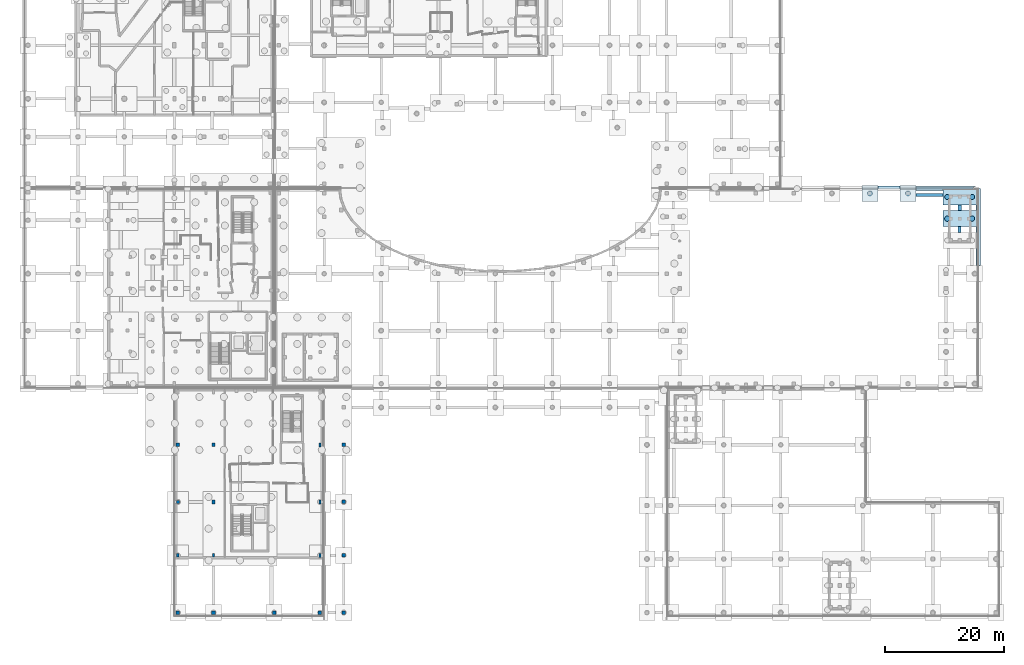
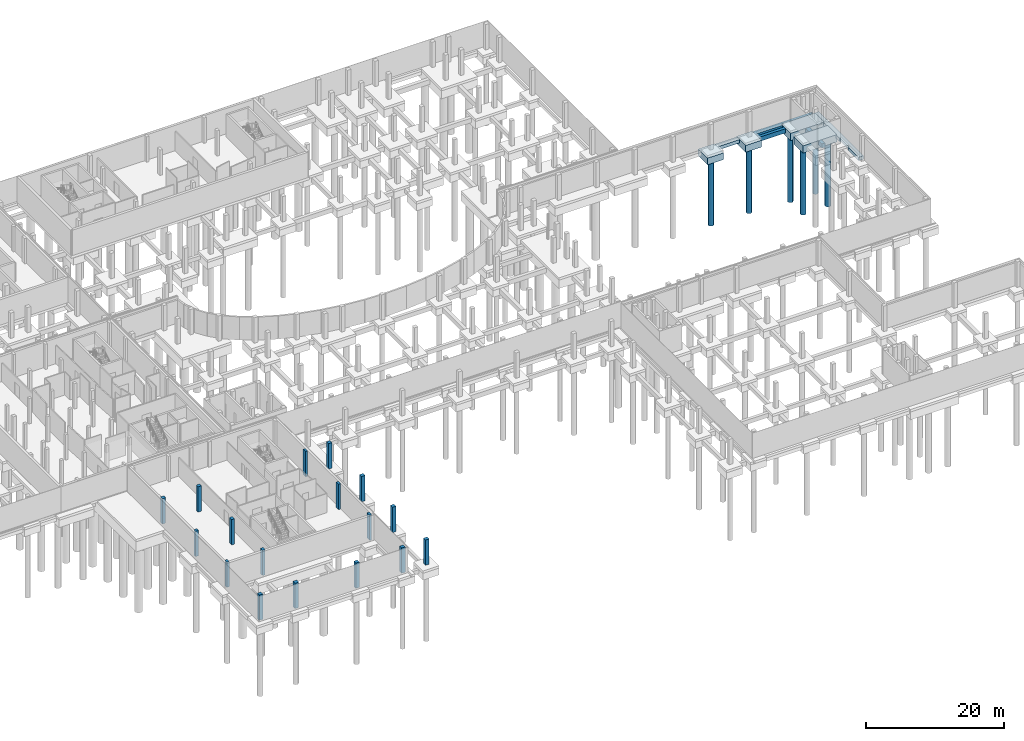
# One storey, part 11 of 40: 17 columns, 10 footings, 6 piles.
"""IFC4 building model written with IfcOpenShell, lengths in metres."""

from ifc_helpers import new_model, si_unit, direction, frame, origin, origin_2d, place, context, subcontext, project, spatial, polyline, rectangle, circle, outline, extrude, material, material_profile, profile_set, type_object, element, save


model = new_model("IFC4")

# Units and contexts
model_context = context("Model", 3, precision=1e-05, world=origin(), true_north=direction((0.0, 1.0)))
body_context = subcontext(model_context, "Body", "Model", "MODEL_VIEW")
ifc_project = project(units=[si_unit("LENGTHUNIT", "METRE"), si_unit("AREAUNIT", "SQUARE_METRE"), si_unit("VOLUMEUNIT", "CUBIC_METRE"), si_unit("PLANEANGLEUNIT", "RADIAN"), si_unit("MASSUNIT", "GRAM", prefix="KILO")], contexts=[model_context])

# Site, building, storey
site_placement = place(None, origin())
site = spatial("IfcSite", under=ifc_project, at=site_placement, CompositionType="ELEMENT")
building_placement = place(site_placement, origin())
building = spatial("IfcBuilding", under=site, at=building_placement, Name="Mzevani Central Library", CompositionType="ELEMENT")
storey_placement = place(building_placement, frame((0.0, 0.0, -4.5)))
storey = spatial("IfcBuildingStorey", under=building, at=storey_placement, Name="B1", CompositionType="ELEMENT", Elevation=-4.5)

# Piles
ifc_material = material(Name="Concrete C40/50", Category="concrete")
ifc_material_profile_1 = material_profile(ifc_material, circle(Radius=0.425048828125, at=origin_2d()), Name="PILE D850")
ifc_profile_set_1 = profile_set([ifc_material_profile_1], Name="Concrete C40/50")
pile_type_1 = type_object("IfcPileType", Name="Bored Pile D850", PredefinedType="BORED", material=ifc_profile_set_1)
for number, where, z_axis, x_axis, name in (
    (1, (146.199951171875, 75.10009765625, -1.52001953125), (0.0, 0.0, -1.0), (1.0, 0.0, 0.0), "B1 Bored Pile P-02 (85)"),
    (2, (152.60009765625, 75.10009765625, -1.52001953125), (0.0, 0.0, -1.0), (1.0, 0.0, 0.0), "B1 Bored Pile P-02 (87)"),
):
    element("IfcPile", number, at=place(storey_placement, frame(where, z_axis=z_axis, x_axis=x_axis)), inside=storey, type_object=pile_type_1, Name=name, PredefinedType="BORED", context=body_context, shape_type="SweptSolid", body=[
        extrude(circle(Radius=0.425048828125, at=origin_2d()), origin(), (0.0, 0.0, 1.0), 11.97998046875),
    ])
for number, where, z_axis, x_axis, name in (
    (3, (159.195068359375, 74.5, -1.6201171875), (0.0, 0.0, -1.0), (1.0, 0.0, 0.0), "B1 Bored Pile P-02 (356)"),
    (4, (163.405029296875, 74.5, -1.6201171875), (0.0, 0.0, -1.0), (1.0, 0.0, 0.0), "B1 Bored Pile P-02 (357)"),
):
    element("IfcPile", number, at=place(storey_placement, frame(where, z_axis=z_axis, x_axis=x_axis)), inside=storey, type_object=pile_type_1, Name=name, PredefinedType="BORED", context=body_context, shape_type="SweptSolid", body=[
        extrude(circle(Radius=0.425048828125, at=origin_2d()), origin(), (0.0, 0.0, 1.0), 11.8798828125),
    ])
ifc_material_profile_2 = material_profile(ifc_material, circle(Radius=0.449951171875, at=origin_2d()), Name="PILE D900")
ifc_profile_set_2 = profile_set([ifc_material_profile_2], Name="Concrete C40/50")
pile_type_2 = type_object("IfcPileType", Name="Bored Pile D900", PredefinedType="BORED", material=ifc_profile_set_2)
for number, where, z_axis, x_axis, name in (
    (5, (159.219970703125, 70.85009765625, -1.6201171875), (0.0, 0.0, -1.0), (1.0, 0.0, 0.0), "B1 Bored Pile P-03 (354)"),
    (6, (163.3798828125, 70.85009765625, -1.6201171875), (0.0, 0.0, -1.0), (1.0, 0.0, 0.0), "B1 Bored Pile P-03 (355)"),
):
    element("IfcPile", number, at=place(storey_placement, frame(where, z_axis=z_axis, x_axis=x_axis)), inside=storey, type_object=pile_type_2, Name=name, PredefinedType="BORED", context=body_context, shape_type="SweptSolid", body=[
        extrude(circle(Radius=0.449951171875, at=origin_2d()), origin(), (0.0, 0.0, 1.0), 11.8798828125),
    ])

# Footings
footing_type_1 = type_object("IfcFootingType", Name="Ground Tie Beam RC 500x750", PredefinedType="FOOTING_BEAM", material=ifc_material)
footing_1_placement = place(storey_placement, frame((0.0, 0.0, -1.169921875)))
element("IfcFooting", 7, at=footing_1_placement, inside=storey, type_object=footing_type_1, Name="MAT Ground Tie Beam GB-02 (110)", PredefinedType="FOOTING_BEAM", context=body_context, shape_type="SweptSolid", body=[
    extrude(outline(polyline([(153.949951171875, 74.550048828125), (158.449951171875, 74.550048828125), (158.449951171875, 75.050048828125), (153.949951171875, 75.050048828125), (153.949951171875, 74.550048828125)])), origin(), (0.0, 0.0, 1.0), 0.75),
])
footing_2_placement = place(storey_placement, frame((0.0, 0.0, -1.169921875)))
element("IfcFooting", 8, at=footing_2_placement, inside=storey, type_object=footing_type_1, Name="MAT Ground Tie Beam GB-02 (178)", PredefinedType="FOOTING_BEAM", context=body_context, shape_type="SweptSolid", body=[
    extrude(outline(polyline([(161.050048828125, 68.550048828125), (161.550048828125, 68.550048828125), (161.550048828125, 69.5), (161.050048828125, 69.5), (161.050048828125, 68.550048828125)])), origin(), (0.0, 0.0, 1.0), 0.75),
])
footing_type_2 = type_object("IfcFootingType", Name="Ground Tie Beam RC 600x850", PredefinedType="FOOTING_BEAM", material=ifc_material)
footing_3_placement = place(storey_placement, frame((0.0, 0.0, -1.27001953125)))
element("IfcFooting", 9, at=footing_3_placement, inside=storey, type_object=footing_type_2, Name="MAT Ground Tie Beam GB-04 (184)", PredefinedType="FOOTING_BEAM", context=body_context, shape_type="SweptSolid", body=[
    extrude(outline(polyline([(161.0, 72.199951171875), (161.60009765625, 72.199951171875), (161.60009765625, 73.14990234375), (161.0, 73.14990234375), (161.0, 72.199951171875)])), origin(), (0.0, 0.0, 1.0), 0.85009765625),
])
footing_type_3 = type_object("IfcFootingType", Name="Perimeter Strip Footing RC 800x600", PredefinedType="STRIP_FOOTING", material=ifc_material)
footing_4_placement = place(storey_placement, frame((0.0, 0.0, -1.02001953125)))
element("IfcFooting", 10, at=footing_4_placement, inside=storey, type_object=footing_type_3, Name="B1 Perimeter Strip Footing SF-01 (3)", PredefinedType="STRIP_FOOTING", context=body_context, shape_type="SweptSolid", body=[
    extrude(outline(polyline([(164.0, 65.85009765625), (164.14990234375, 65.85009765625), (164.14990234375, 68.550048828125), (164.0, 68.550048828125), (164.0, 69.5), (164.14990234375, 69.5), (164.14990234375, 72.199951171875), (164.0, 72.199951171875), (164.0, 73.14990234375), (164.14990234375, 73.14990234375), (164.14990234375, 75.85009765625), (164.0, 75.85009765625), (164.800048828125, 75.89990234375), (164.800048828125, 62.949951171875), (164.0, 62.949951171875), (164.0, 65.85009765625)])), origin(), (0.0, 0.0, 1.0), 0.60009765625),
])
footing_5_placement = place(storey_placement, frame((0.0, 0.0, -1.02001953125)))
element("IfcFooting", 11, at=footing_5_placement, inside=storey, type_object=footing_type_3, Name="B1 Perimeter Strip Footing SF-01 (15)", PredefinedType="STRIP_FOOTING", context=body_context, shape_type="SweptSolid", body=[
    extrude(outline(polyline([(158.449951171875, 75.85009765625), (158.449951171875, 75.5), (153.949951171875, 75.5), (153.949951171875, 76.300048828125), (163.986083984375, 76.300048828125), (163.690673828125, 76.177001953125), (163.58837890625, 76.03173828125), (163.55029296875, 75.85009765625), (158.449951171875, 75.85009765625)])), origin(), (0.0, 0.0, 1.0), 0.60009765625),
])
footing_6_placement = place(storey_placement, frame((0.0, 0.0, -1.02001953125)))
element("IfcFooting", 12, at=footing_6_placement, inside=storey, type_object=footing_type_3, Name="B1 Perimeter Strip Footing SF-01 (16)", PredefinedType="STRIP_FOOTING", context=body_context, shape_type="SweptSolid", body=[
    extrude(outline(polyline([(147.550048828125, 76.300048828125), (151.25, 76.300048828125), (151.25, 75.5), (147.550048828125, 75.5), (147.550048828125, 76.300048828125)])), origin(), (0.0, 0.0, 1.0), 0.60009765625),
])
footing_type_4 = type_object("IfcFootingType", Name="Pile Cap RC 2700x2700x1200", PredefinedType="PILE_CAP", material=ifc_material)
footing_7_placement = place(storey_placement, frame((0.0, 0.0, -1.6201171875)))
element("IfcFooting", 13, at=footing_7_placement, inside=storey, type_object=footing_type_4, Name="B1 Pile Cap PC-02 (37)", PredefinedType="PILE_CAP", context=body_context, shape_type="SweptSolid", body=[
    extrude(outline(polyline([(144.85009765625, 73.75), (147.550048828125, 73.75), (147.550048828125, 76.449951171875), (144.85009765625, 76.449951171875), (144.85009765625, 73.75)])), origin(), (0.0, 0.0, 1.0), 1.2001953125),
])
footing_8_placement = place(storey_placement, frame((0.0, 0.0, -1.6201171875)))
element("IfcFooting", 14, at=footing_8_placement, inside=storey, type_object=footing_type_4, Name="B1 Pile Cap PC-02 (39)", PredefinedType="PILE_CAP", context=body_context, shape_type="SweptSolid", body=[
    extrude(outline(polyline([(151.25, 73.75), (153.949951171875, 73.75), (153.949951171875, 76.449951171875), (151.25, 76.449951171875), (151.25, 73.75)])), origin(), (0.0, 0.0, 1.0), 1.2001953125),
])
footing_type_5 = type_object("IfcFootingType", Name="Pile Cap RC 5700x2700x1300", PredefinedType="PILE_CAP", material=ifc_material)
footing_9_placement = place(storey_placement, frame((0.0, 0.0, -1.719970703125)))
element("IfcFooting", 15, at=footing_9_placement, inside=storey, type_object=footing_type_5, Name="B1 Pile Cap PC-40 (165)", PredefinedType="PILE_CAP", context=body_context, shape_type="SweptSolid", body=[
    extrude(outline(polyline([(158.449951171875, 69.5), (164.14990234375, 69.5), (164.14990234375, 72.199951171875), (158.449951171875, 72.199951171875), (158.449951171875, 69.5)])), origin(), (0.0, 0.0, 1.0), 1.300048828125),
])
footing_10_placement = place(storey_placement, frame((0.0, 0.0, -1.719970703125)))
element("IfcFooting", 16, at=footing_10_placement, inside=storey, type_object=footing_type_5, Name="B1 Pile Cap PC-40 (166)", PredefinedType="PILE_CAP", context=body_context, shape_type="SweptSolid", body=[
    extrude(outline(polyline([(158.449951171875, 73.14990234375), (164.14990234375, 73.14990234375), (164.14990234375, 75.85009765625), (158.449951171875, 75.85009765625), (158.449951171875, 73.14990234375)])), origin(), (0.0, 0.0, 1.0), 1.300048828125),
])

# Columns
ifc_material_profile_3 = material_profile(ifc_material, rectangle(XDim=0.39990234375, YDim=0.60009765625, at=origin_2d()), Name="RC 400x600")
ifc_profile_set_3 = profile_set([ifc_material_profile_3], Name="Concrete C40/50")
column_type_1 = type_object("IfcColumnType", Name="Column RC 400x600", PredefinedType="COLUMN", material=ifc_profile_set_3)
for number, where, z_axis, x_axis, name in (
    (17, (29.800048828125, 14.199951171875, 0.0), (0.0, 0.0, 1.0), (1.0, 0.0, 0.0), "B1 V4 Column C-11 (167)"),
    (18, (35.800048828125, 14.199951171875, 0.0), (0.0, 0.0, 1.0), (1.0, 0.0, 0.0), "B1 V4 Column C-11 (172)"),
):
    element("IfcColumn", number, at=place(storey_placement, frame(where, z_axis=z_axis, x_axis=x_axis)), inside=storey, type_object=column_type_1, Name=name, PredefinedType="COLUMN", context=body_context, shape_type="SweptSolid", body=[
        extrude(rectangle(XDim=0.39990234375, YDim=0.60009765625, at=origin_2d()), origin(), (0.0, 0.0, 1.0), 4.5),
    ])
ifc_material_profile_4 = material_profile(ifc_material, rectangle(XDim=0.449951171875, YDim=0.64990234375, at=origin_2d()), Name="RC 450x650")
ifc_profile_set_4 = profile_set([ifc_material_profile_4], Name="Concrete C40/50")
column_type_2 = type_object("IfcColumnType", Name="Column RC 450x650", PredefinedType="COLUMN", material=ifc_profile_set_4)
column_1_placement = place(storey_placement, frame((35.800048828125, 23.199951171875, 0.0), z_axis=(0.0, 0.0, 1.0), x_axis=(1.0, 0.0, 0.0)))
element("IfcColumn", 19, at=column_1_placement, inside=storey, type_object=column_type_2, Name="B1 V4 Column C-12 (173)", PredefinedType="COLUMN", context=body_context, shape_type="SweptSolid", body=[
    extrude(rectangle(XDim=0.449951171875, YDim=0.64990234375, at=origin_2d()), origin(), (0.0, 0.0, 1.0), 4.5),
])
ifc_material_profile_5 = material_profile(ifc_material, rectangle(XDim=0.5, YDim=0.5, at=origin_2d()), Name="RC 500x500")
ifc_profile_set_5 = profile_set([ifc_material_profile_5], Name="Concrete C40/50")
column_type_3 = type_object("IfcColumnType", Name="Column RC 500x500", PredefinedType="COLUMN", material=ifc_profile_set_5)
column_2_placement = place(storey_placement, frame((29.800048828125, 23.199951171875, 0.0), z_axis=(0.0, 0.0, 1.0), x_axis=(1.0, 0.0, 0.0)))
element("IfcColumn", 20, at=column_2_placement, inside=storey, type_object=column_type_3, Name="B1 V4 Column C-04 (168)", PredefinedType="COLUMN", context=body_context, shape_type="SweptSolid", body=[
    extrude(rectangle(XDim=0.5, YDim=0.5, at=origin_2d()), origin(), (0.0, 0.0, 1.0), 4.5),
])
ifc_material_profile_6 = material_profile(ifc_material, rectangle(XDim=0.550048828125, YDim=0.550048828125, at=origin_2d()), Name="RC 550x550")
ifc_profile_set_6 = profile_set([ifc_material_profile_6], Name="Concrete C40/50")
column_type_4 = type_object("IfcColumnType", Name="Column RC 550x550", PredefinedType="COLUMN", material=ifc_profile_set_6)
for number, where, z_axis, x_axis, name in (
    (21, (29.800048828125, 32.800048828125, 0.0), (0.0, 0.0, 1.0), (1.0, 0.0, 0.0), "B1 V4 Column C-05 (169)"),
    (22, (35.800048828125, 32.800048828125, 0.0), (0.0, 0.0, 1.0), (1.0, 0.0, 0.0), "B1 V4 Column C-05 (174)"),
):
    element("IfcColumn", number, at=place(storey_placement, frame(where, z_axis=z_axis, x_axis=x_axis)), inside=storey, type_object=column_type_4, Name=name, PredefinedType="COLUMN", context=body_context, shape_type="SweptSolid", body=[
        extrude(rectangle(XDim=0.550048828125, YDim=0.550048828125, at=origin_2d()), origin(), (0.0, 0.0, 1.0), 4.5),
    ])
ifc_material_profile_7 = material_profile(ifc_material, rectangle(XDim=0.60009765625, YDim=0.60009765625, at=origin_2d()), Name="RC 600x600")
ifc_profile_set_7 = profile_set([ifc_material_profile_7], Name="Concrete C40/50")
column_type_5 = type_object("IfcColumnType", Name="Column RC 600x600", PredefinedType="COLUMN", material=ifc_profile_set_7)
for number, where, z_axis, x_axis, name in (
    (23, (29.800048828125, 4.60009765625, 0.0), (0.0, 0.0, 1.0), (1.0, 0.0, 0.0), "B1 V4 Foundation Pedestal (137)"),
    (24, (35.800048828125, 4.60009765625, 0.0), (0.0, 0.0, 1.0), (1.0, 0.0, 0.0), "B1 V4 Foundation Pedestal (138)"),
    (25, (46.0, 4.60009765625, 0.0), (0.0, 0.0, 1.0), (1.0, 0.0, 0.0), "B1 V4 Foundation Pedestal (139)"),
    (26, (53.699951171875, 4.60009765625, 0.0), (0.0, 0.0, 1.0), (1.0, 0.0, 0.0), "B1 V4 Foundation Pedestal (140)"),
    (27, (57.699951171875, 4.60009765625, 0.0), (0.0, 0.0, 1.0), (1.0, 0.0, 0.0), "B1 COL Foundation Pedestal (175)"),
    (28, (57.699951171875, 14.199951171875, 0.0), (0.0, 0.0, 1.0), (1.0, 0.0, 0.0), "B1 COL Foundation Pedestal (176)"),
    (29, (57.699951171875, 23.199951171875, 0.0), (0.0, 0.0, 1.0), (1.0, 0.0, 0.0), "B1 COL Foundation Pedestal (177)"),
    (30, (57.699951171875, 32.800048828125, 0.0), (0.0, 0.0, 1.0), (1.0, 0.0, 0.0), "B1 COL Foundation Pedestal (178)"),
):
    element("IfcColumn", number, at=place(storey_placement, frame(where, z_axis=z_axis, x_axis=x_axis)), inside=storey, type_object=column_type_5, Name=name, PredefinedType="COLUMN", context=body_context, shape_type="SweptSolid", body=[
        extrude(rectangle(XDim=0.60009765625, YDim=0.60009765625, at=origin_2d()), origin(), (0.0, 0.0, 1.0), 4.5),
    ])
ifc_material_profile_8 = material_profile(ifc_material, rectangle(XDim=0.35009765625, YDim=0.699951171875, at=origin_2d()), Name="RC 350x700")
ifc_profile_set_8 = profile_set([ifc_material_profile_8], Name="Concrete C40/50")
column_type_6 = type_object("IfcColumnType", Name="Joint Twin Column RC 350x700", PredefinedType="COLUMN", material=ifc_profile_set_8)
for number, where, z_axis, x_axis, name in (
    (31, (53.699951171875, 14.199951171875, 0.0), (0.0, 0.0, 1.0), (1.0, 0.0, 0.0), "B1 V4 Column C-18 (178)"),
    (32, (53.699951171875, 23.199951171875, 0.0), (0.0, 0.0, 1.0), (1.0, 0.0, 0.0), "B1 V4 Column C-18 (179)"),
    (33, (53.699951171875, 32.800048828125, 0.0), (0.0, 0.0, 1.0), (1.0, 0.0, 0.0), "B1 V4 Column C-18 (180)"),
):
    element("IfcColumn", number, at=place(storey_placement, frame(where, z_axis=z_axis, x_axis=x_axis)), inside=storey, type_object=column_type_6, Name=name, PredefinedType="COLUMN", context=body_context, shape_type="SweptSolid", body=[
        extrude(rectangle(XDim=0.35009765625, YDim=0.699951171875, at=origin_2d()), origin(), (0.0, 0.0, 1.0), 4.5),
    ])

save(model, "model.ifc")
